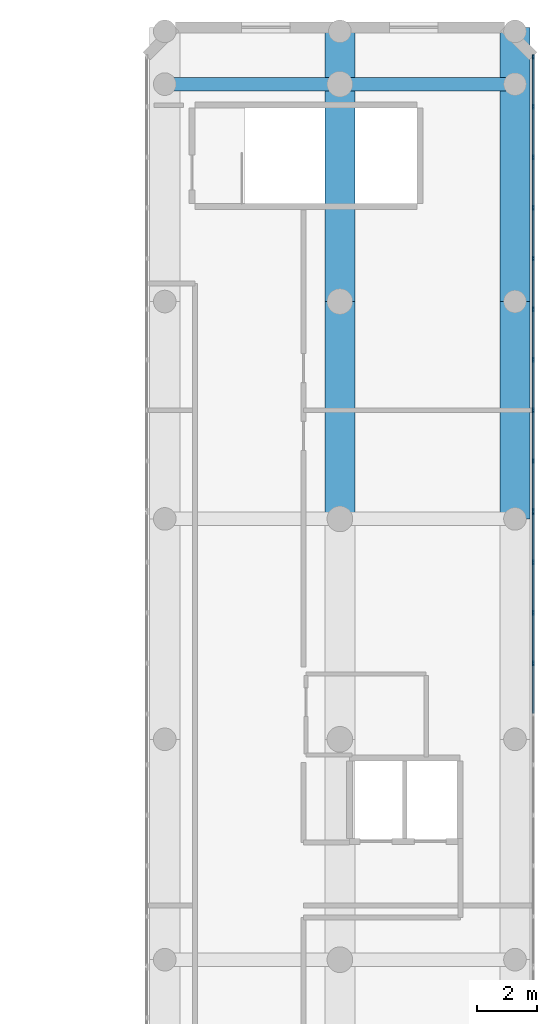
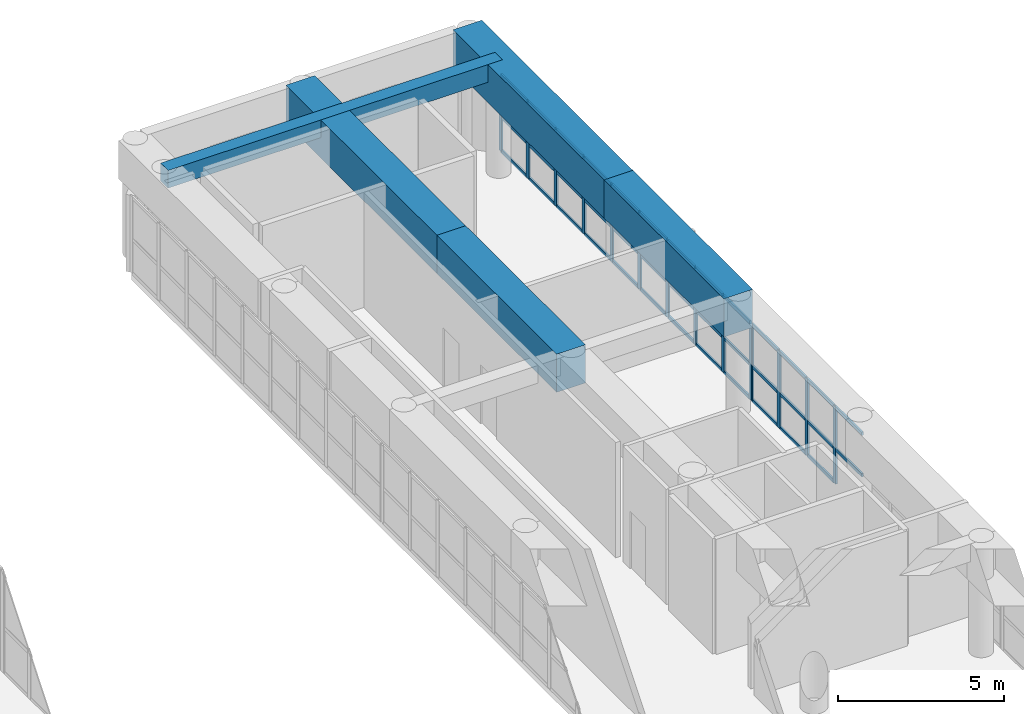
# One storey, part 9 of 22: 52 members, 5 beams, 2 elements without a shape of their own.
"""IFC4 building model written with IfcOpenShell, lengths in metres."""

from ifc_helpers import new_model, si_unit, direction, frame, origin, origin_with_axes, origin_2d, place, context, subcontext, project, spatial, rectangle, extrude, source, transform, mapped, material, layer, layer_set, material_profile, profile_set, type_object, element, aggregate, save


model = new_model("IFC4")

# Units and contexts
model_context = context("Model", 3, precision=1e-05, world=origin(), true_north=direction((0.0, 1.0)))
body_context = subcontext(model_context, "Body", "Model", "MODEL_VIEW")
ifc_project = project(units=[si_unit("LENGTHUNIT", "METRE"), si_unit("AREAUNIT", "SQUARE_METRE"), si_unit("VOLUMEUNIT", "CUBIC_METRE"), si_unit("PLANEANGLEUNIT", "RADIAN"), si_unit("MASSUNIT", "GRAM", prefix="KILO")], contexts=[model_context])

# Site, building, storey
site_placement = place(None, origin())
site = spatial("IfcSite", under=ifc_project, at=site_placement, CompositionType="ELEMENT")
building_placement = place(site_placement, origin())
building = spatial("IfcBuilding", under=site, at=building_placement, Name="Karkom Vertical University and Central Library", CompositionType="ELEMENT")
storey_placement = place(building_placement, frame((0.0, 0.0, 18.0)))
storey = spatial("IfcBuildingStorey", under=building, at=storey_placement, Name="L04", CompositionType="ELEMENT", Elevation=18.0)

# Beams
ifc_material_1 = material(Name="Concrete C50/60", Category="concrete")
ifc_material_profile_1 = material_profile(ifc_material_1, rectangle(XDim=1.0, YDim=1.39990234375, at=origin_2d()), Name="TG-1000x1400")
ifc_profile_set_1 = profile_set([ifc_material_profile_1], Name="Concrete C50/60")
beam_type_1 = type_object("IfcBeamType", Name="STR-BM-TG-2", PredefinedType="USERDEFINED", material=ifc_profile_set_1)
shared_shape_1 = source(origin_with_axes(), body_context, "Body", "SweptSolid", [
    extrude(rectangle(XDim=1.0, YDim=1.39990234375, at=origin_2d()), origin(), (0.0, 0.0, 1.0), 9.080078125),
])
for number, where, z_axis, x_axis, name in (
    (1, (75.39990234375, 41.0, 3.52490234375), (0.0, 1.0, 0.0), (-1.0, 0.0, 0.0), "Level 04 Library Vault Transfer Eave Girder 2.6"),
    (2, (81.199951171875, 41.0, 3.52490234375), (0.0, 1.0, 0.0), (-1.0, 0.0, 0.0), "Level 04 Library Vault Transfer Eave Girder 3.6"),
):
    element("IfcBeam", number, at=place(storey_placement, frame(where, z_axis=z_axis, x_axis=x_axis)), inside=storey, type_object=beam_type_1, Name=name, ObjectType="GIRDER", PredefinedType="USERDEFINED", context=body_context, shape_type="MappedRepresentation", body=[
        mapped(shared_shape_1, transform((0.0, 0.0, 0.0), scale=1.0)),
    ])
shared_shape_2 = source(origin_with_axes(), body_context, "Body", "SweptSolid", [
    extrude(rectangle(XDim=1.0, YDim=1.39990234375, at=origin_2d()), origin(), (0.0, 0.0, 1.0), 7.199951171875),
])
for number, where, z_axis, x_axis, name in (
    (3, (75.39990234375, 33.800048828125, 3.52490234375), (0.0, 1.0, 0.0), (-1.0, 0.0, 0.0), "Level 04 Library Vault Transfer Eave Girder 2.5"),
    (4, (81.199951171875, 33.800048828125, 3.52490234375), (0.0, 1.0, 0.0), (-1.0, 0.0, 0.0), "Level 04 Library Vault Transfer Eave Girder 3.5"),
):
    element("IfcBeam", number, at=place(storey_placement, frame(where, z_axis=z_axis, x_axis=x_axis)), inside=storey, type_object=beam_type_1, Name=name, ObjectType="GIRDER", PredefinedType="USERDEFINED", context=body_context, shape_type="MappedRepresentation", body=[
        mapped(shared_shape_2, transform((0.0, 0.0, 0.0), scale=1.0)),
    ])
ifc_material_2 = material(Name="Concrete C40/50", Category="concrete")
ifc_material_profile_2 = material_profile(ifc_material_2, rectangle(XDim=0.449951171875, YDim=0.64990234375, at=origin_2d()), Name="RCB-450x650")
ifc_profile_set_2 = profile_set([ifc_material_profile_2], Name="Concrete C40/50")
beam_type_2 = type_object("IfcBeamType", Name="STR-BM-BG-4", PredefinedType="USERDEFINED", material=ifc_profile_set_2)
shared_shape_3 = source(origin_with_axes(), body_context, "Body", "SweptSolid", [
    extrude(rectangle(XDim=0.449951171875, YDim=0.64990234375, at=origin_2d()), origin(), (0.0, 0.0, 1.0), 11.599853515625),
])
beam_placement = place(storey_placement, frame((69.60009765625, 48.199951171875, 3.89990234375), z_axis=(1.0, 0.0, 0.0), x_axis=(0.0, 1.0, 0.0)))
element("IfcBeam", 5, at=beam_placement, inside=storey, type_object=beam_type_2, Name="Level 04 Library Transverse Tie Girder 4", ObjectType="GIRDER", PredefinedType="USERDEFINED", context=body_context, shape_type="MappedRepresentation", body=[
    mapped(shared_shape_3, transform((0.0, 0.0, 0.0), scale=1.0)),
])

# Curtain wall, members
ifc_material_3 = material(Name="Aluminium curtain-wall framing and low-E IGU", Category="aluminium")
ifc_layer = layer(ifc_material_3, 0.199951171875)
ifc_layer_set = layer_set([ifc_layer], Name="Aluminium curtain-wall framing and low-E IGU")
curtain_wall_type = type_object("IfcCurtainWallType", Name="ENV-CW-2", PredefinedType="USERDEFINED", material=ifc_layer_set)
curtain_wall_1_placement = place(storey_placement, origin())
curtain_wall_1 = element("IfcCurtainWall", 6, at=curtain_wall_1_placement, inside=storey, type_object=curtain_wall_type, Name="Level 04 CW-2 Curtain Wall Level 04-CW2-3-2", ObjectType="STICK MULLION GLAZING", PredefinedType="USERDEFINED")
ifc_material_4 = material(Name="Anodised Aluminium 6063-T6", Category="aluminium")
ifc_material_profile_3 = material_profile(ifc_material_4, rectangle(XDim=0.06005859375, YDim=0.159912109375, at=origin_2d()), Name="ALU-M60x160")
ifc_profile_set_3 = profile_set([ifc_material_profile_3], Name="Anodised Aluminium 6063-T6")
member_type_1 = type_object("IfcMemberType", Name="ENV-MEM-ALU-M60x160", PredefinedType="MULLION", material=ifc_profile_set_3)
shared_shape_4 = source(origin_with_axes(), body_context, "Body", "SweptSolid", [
    extrude(rectangle(XDim=0.06005859375, YDim=0.159912109375, at=origin_2d()), origin(), (0.0, 0.0, 1.0), 2.824951171875),
])
member_1_placement = place(storey_placement, frame((81.800048828125, 29.014404296875, 0.0), z_axis=(0.0, 0.0, 1.0), x_axis=(-1.0, 0.0, 0.0)))
member_1 = element("IfcMember", 7, at=member_1_placement, type_object=member_type_1, Name="CW-2 mullion 7", PredefinedType="MULLION", context=body_context, shape_type="MappedRepresentation", body=[
    mapped(shared_shape_4, transform((0.0, 0.0, 0.0), scale=1.0)),
])
member_2_placement = place(storey_placement, frame((81.800048828125, 30.690673828125, 0.0), z_axis=(0.0, 0.0, 1.0), x_axis=(-1.0, 0.0, 0.0)))
member_2 = element("IfcMember", 8, at=member_2_placement, type_object=member_type_1, Name="CW-2 mullion 8", PredefinedType="MULLION", context=body_context, shape_type="MappedRepresentation", body=[
    mapped(shared_shape_4, transform((0.0, 0.0, 0.0), scale=1.0)),
])
member_3_placement = place(storey_placement, frame((81.800048828125, 32.366943359375, 0.0), z_axis=(0.0, 0.0, 1.0), x_axis=(-1.0, 0.0, 0.0)))
member_3 = element("IfcMember", 9, at=member_3_placement, type_object=member_type_1, Name="CW-2 mullion 9", PredefinedType="MULLION", context=body_context, shape_type="MappedRepresentation", body=[
    mapped(shared_shape_4, transform((0.0, 0.0, 0.0), scale=1.0)),
])
member_4_placement = place(storey_placement, frame((81.800048828125, 34.01318359375, 0.0), z_axis=(0.0, 0.0, 1.0), x_axis=(-1.0, 0.0, 0.0)))
member_4 = element("IfcMember", 10, at=member_4_placement, type_object=member_type_1, Name="CW-2 mullion 10", PredefinedType="MULLION", context=body_context, shape_type="MappedRepresentation", body=[
    mapped(shared_shape_4, transform((0.0, 0.0, 0.0), scale=1.0)),
])

curtain_wall_2_placement = place(storey_placement, origin())
curtain_wall_2 = element("IfcCurtainWall", 11, at=curtain_wall_2_placement, inside=storey, type_object=curtain_wall_type, Name="Level 04 CW-2 Curtain Wall Level 04-CW2-3-3", ObjectType="STICK MULLION GLAZING", PredefinedType="USERDEFINED")
member_5_placement = place(storey_placement, frame((81.800048828125, 34.0732421875, 0.0), z_axis=(0.0, 0.0, 1.0), x_axis=(-1.0, 0.0, 0.0)))
member_5 = element("IfcMember", 12, at=member_5_placement, type_object=member_type_1, Name="CW-2 mullion 1", PredefinedType="MULLION", context=body_context, shape_type="MappedRepresentation", body=[
    mapped(shared_shape_4, transform((0.0, 0.0, 0.0), scale=1.0)),
])
member_6_placement = place(storey_placement, frame((81.800048828125, 35.719482421875, 0.0), z_axis=(0.0, 0.0, 1.0), x_axis=(-1.0, 0.0, 0.0)))
member_6 = element("IfcMember", 13, at=member_6_placement, type_object=member_type_1, Name="CW-2 mullion 2", PredefinedType="MULLION", context=body_context, shape_type="MappedRepresentation", body=[
    mapped(shared_shape_4, transform((0.0, 0.0, 0.0), scale=1.0)),
])
member_7_placement = place(storey_placement, frame((81.800048828125, 37.39599609375, 0.0), z_axis=(0.0, 0.0, 1.0), x_axis=(-1.0, 0.0, 0.0)))
member_7 = element("IfcMember", 14, at=member_7_placement, type_object=member_type_1, Name="CW-2 mullion 3", PredefinedType="MULLION", context=body_context, shape_type="MappedRepresentation", body=[
    mapped(shared_shape_4, transform((0.0, 0.0, 0.0), scale=1.0)),
])
member_8_placement = place(storey_placement, frame((81.800048828125, 39.072265625, 0.0), z_axis=(0.0, 0.0, 1.0), x_axis=(-1.0, 0.0, 0.0)))
member_8 = element("IfcMember", 15, at=member_8_placement, type_object=member_type_1, Name="CW-2 mullion 4", PredefinedType="MULLION", context=body_context, shape_type="MappedRepresentation", body=[
    mapped(shared_shape_4, transform((0.0, 0.0, 0.0), scale=1.0)),
])
member_9_placement = place(storey_placement, frame((81.800048828125, 40.74853515625, 0.0), z_axis=(0.0, 0.0, 1.0), x_axis=(-1.0, 0.0, 0.0)))
member_9 = element("IfcMember", 16, at=member_9_placement, type_object=member_type_1, Name="CW-2 mullion 5", PredefinedType="MULLION", context=body_context, shape_type="MappedRepresentation", body=[
    mapped(shared_shape_4, transform((0.0, 0.0, 0.0), scale=1.0)),
])
member_10_placement = place(storey_placement, frame((81.800048828125, 42.4248046875, 0.0), z_axis=(0.0, 0.0, 1.0), x_axis=(-1.0, 0.0, 0.0)))
member_10 = element("IfcMember", 17, at=member_10_placement, type_object=member_type_1, Name="CW-2 mullion 6", PredefinedType="MULLION", context=body_context, shape_type="MappedRepresentation", body=[
    mapped(shared_shape_4, transform((0.0, 0.0, 0.0), scale=1.0)),
])
member_11_placement = place(storey_placement, frame((81.800048828125, 44.10107421875, 0.0), z_axis=(0.0, 0.0, 1.0), x_axis=(-1.0, 0.0, 0.0)))
member_11 = element("IfcMember", 18, at=member_11_placement, type_object=member_type_1, Name="CW-2 mullion 7", PredefinedType="MULLION", context=body_context, shape_type="MappedRepresentation", body=[
    mapped(shared_shape_4, transform((0.0, 0.0, 0.0), scale=1.0)),
])
member_12_placement = place(storey_placement, frame((81.800048828125, 45.77734375, 0.0), z_axis=(0.0, 0.0, 1.0), x_axis=(-1.0, 0.0, 0.0)))
member_12 = element("IfcMember", 19, at=member_12_placement, type_object=member_type_1, Name="CW-2 mullion 8", PredefinedType="MULLION", context=body_context, shape_type="MappedRepresentation", body=[
    mapped(shared_shape_4, transform((0.0, 0.0, 0.0), scale=1.0)),
])
member_13_placement = place(storey_placement, frame((81.800048828125, 47.45361328125, 0.0), z_axis=(0.0, 0.0, 1.0), x_axis=(-1.0, 0.0, 0.0)))
member_13 = element("IfcMember", 20, at=member_13_placement, type_object=member_type_1, Name="CW-2 mullion 9", PredefinedType="MULLION", context=body_context, shape_type="MappedRepresentation", body=[
    mapped(shared_shape_4, transform((0.0, 0.0, 0.0), scale=1.0)),
])
member_14_placement = place(storey_placement, frame((81.800048828125, 49.10009765625, 0.0), z_axis=(0.0, 0.0, 1.0), x_axis=(-1.0, 0.0, 0.0)))
member_14 = element("IfcMember", 21, at=member_14_placement, type_object=member_type_1, Name="CW-2 mullion 10", PredefinedType="MULLION", context=body_context, shape_type="MappedRepresentation", body=[
    mapped(shared_shape_4, transform((0.0, 0.0, 0.0), scale=1.0)),
])

# Member
ifc_material_profile_4 = material_profile(ifc_material_4, rectangle(XDim=0.06005859375, YDim=0.1201171875, at=origin_2d()), Name="ALU-T60x120")
ifc_profile_set_4 = profile_set([ifc_material_profile_4], Name="Anodised Aluminium 6063-T6")
member_type_2 = type_object("IfcMemberType", Name="ENV-MEM-ALU-T60x120", PredefinedType="USERDEFINED", material=ifc_profile_set_4)
shared_shape_5 = source(origin_with_axes(), body_context, "Body", "SweptSolid", [
    extrude(rectangle(XDim=0.06005859375, YDim=0.1201171875, at=origin_2d()), origin(), (0.0, 0.0, 1.0), 1.58642578125),
])
member_15_placement = place(storey_placement, frame((81.800048828125, 32.39697265625, 0.030029296875), z_axis=(0.0, 1.0, 0.0), x_axis=(-1.0, 0.0, 0.0)))
member_15 = element("IfcMember", 22, at=member_15_placement, type_object=member_type_2, Name="CW-2 transom 9.1", ObjectType="TRANSOM", PredefinedType="USERDEFINED", context=body_context, shape_type="MappedRepresentation", body=[
    mapped(shared_shape_5, transform((0.0, 0.0, 0.0), scale=1.0)),
])

member_16_placement = place(storey_placement, frame((81.800048828125, 32.39697265625, 1.271240234375), z_axis=(0.0, 1.0, 0.0), x_axis=(-1.0, 0.0, 0.0)))
member_16 = element("IfcMember", 23, at=member_16_placement, type_object=member_type_2, Name="CW-2 transom 9.2", ObjectType="TRANSOM", PredefinedType="USERDEFINED", context=body_context, shape_type="MappedRepresentation", body=[
    mapped(shared_shape_5, transform((0.0, 0.0, 0.0), scale=1.0)),
])

member_17_placement = place(storey_placement, frame((81.800048828125, 32.39697265625, 2.794921875), z_axis=(0.0, 1.0, 0.0), x_axis=(-1.0, 0.0, 0.0)))
member_17 = element("IfcMember", 24, at=member_17_placement, type_object=member_type_2, Name="CW-2 transom 9.3", ObjectType="TRANSOM", PredefinedType="USERDEFINED", context=body_context, shape_type="MappedRepresentation", body=[
    mapped(shared_shape_5, transform((0.0, 0.0, 0.0), scale=1.0)),
])

member_18_placement = place(storey_placement, frame((81.800048828125, 34.103271484375, 0.030029296875), z_axis=(0.0, 1.0, 0.0), x_axis=(-1.0, 0.0, 0.0)))
member_18 = element("IfcMember", 25, at=member_18_placement, type_object=member_type_2, Name="CW-2 transom 1.1", ObjectType="TRANSOM", PredefinedType="USERDEFINED", context=body_context, shape_type="MappedRepresentation", body=[
    mapped(shared_shape_5, transform((0.0, 0.0, 0.0), scale=1.0)),
])

member_19_placement = place(storey_placement, frame((81.800048828125, 34.103271484375, 1.271240234375), z_axis=(0.0, 1.0, 0.0), x_axis=(-1.0, 0.0, 0.0)))
member_19 = element("IfcMember", 26, at=member_19_placement, type_object=member_type_2, Name="CW-2 transom 1.2", ObjectType="TRANSOM", PredefinedType="USERDEFINED", context=body_context, shape_type="MappedRepresentation", body=[
    mapped(shared_shape_5, transform((0.0, 0.0, 0.0), scale=1.0)),
])

member_20_placement = place(storey_placement, frame((81.800048828125, 34.103271484375, 2.794921875), z_axis=(0.0, 1.0, 0.0), x_axis=(-1.0, 0.0, 0.0)))
member_20 = element("IfcMember", 27, at=member_20_placement, type_object=member_type_2, Name="CW-2 transom 1.3", ObjectType="TRANSOM", PredefinedType="USERDEFINED", context=body_context, shape_type="MappedRepresentation", body=[
    mapped(shared_shape_5, transform((0.0, 0.0, 0.0), scale=1.0)),
])

member_21_placement = place(storey_placement, frame((81.800048828125, 47.483642578125, 0.030029296875), z_axis=(0.0, 1.0, 0.0), x_axis=(-1.0, 0.0, 0.0)))
member_21 = element("IfcMember", 28, at=member_21_placement, type_object=member_type_2, Name="CW-2 transom 9.1", ObjectType="TRANSOM", PredefinedType="USERDEFINED", context=body_context, shape_type="MappedRepresentation", body=[
    mapped(shared_shape_5, transform((0.0, 0.0, 0.0), scale=1.0)),
])

member_22_placement = place(storey_placement, frame((81.800048828125, 47.483642578125, 1.271240234375), z_axis=(0.0, 1.0, 0.0), x_axis=(-1.0, 0.0, 0.0)))
member_22 = element("IfcMember", 29, at=member_22_placement, type_object=member_type_2, Name="CW-2 transom 9.2", ObjectType="TRANSOM", PredefinedType="USERDEFINED", context=body_context, shape_type="MappedRepresentation", body=[
    mapped(shared_shape_5, transform((0.0, 0.0, 0.0), scale=1.0)),
])

member_23_placement = place(storey_placement, frame((81.800048828125, 47.483642578125, 2.794921875), z_axis=(0.0, 1.0, 0.0), x_axis=(-1.0, 0.0, 0.0)))
member_23 = element("IfcMember", 30, at=member_23_placement, type_object=member_type_2, Name="CW-2 transom 9.3", ObjectType="TRANSOM", PredefinedType="USERDEFINED", context=body_context, shape_type="MappedRepresentation", body=[
    mapped(shared_shape_5, transform((0.0, 0.0, 0.0), scale=1.0)),
])

shared_shape_6 = source(origin_with_axes(), body_context, "Body", "SweptSolid", [
    extrude(rectangle(XDim=0.06005859375, YDim=0.1201171875, at=origin_2d()), origin(), (0.0, 0.0, 1.0), 1.6162109375),
])
member_24_placement = place(storey_placement, frame((81.800048828125, 27.3681640625, 1.271240234375), z_axis=(0.0, 1.0, 0.0), x_axis=(-1.0, 0.0, 0.0)))
member_24 = element("IfcMember", 31, at=member_24_placement, type_object=member_type_2, Name="CW-2 transom 6.2", ObjectType="TRANSOM", PredefinedType="USERDEFINED", context=body_context, shape_type="MappedRepresentation", body=[
    mapped(shared_shape_6, transform((0.0, 0.0, 0.0), scale=1.0)),
])

member_25_placement = place(storey_placement, frame((81.800048828125, 27.3681640625, 2.794921875), z_axis=(0.0, 1.0, 0.0), x_axis=(-1.0, 0.0, 0.0)))
member_25 = element("IfcMember", 32, at=member_25_placement, type_object=member_type_2, Name="CW-2 transom 6.3", ObjectType="TRANSOM", PredefinedType="USERDEFINED", context=body_context, shape_type="MappedRepresentation", body=[
    mapped(shared_shape_6, transform((0.0, 0.0, 0.0), scale=1.0)),
])

member_26_placement = place(storey_placement, frame((81.800048828125, 29.04443359375, 0.030029296875), z_axis=(0.0, 1.0, 0.0), x_axis=(-1.0, 0.0, 0.0)))
member_26 = element("IfcMember", 33, at=member_26_placement, type_object=member_type_2, Name="CW-2 transom 7.1", ObjectType="TRANSOM", PredefinedType="USERDEFINED", context=body_context, shape_type="MappedRepresentation", body=[
    mapped(shared_shape_6, transform((0.0, 0.0, 0.0), scale=1.0)),
])

member_27_placement = place(storey_placement, frame((81.800048828125, 29.04443359375, 1.271240234375), z_axis=(0.0, 1.0, 0.0), x_axis=(-1.0, 0.0, 0.0)))
member_27 = element("IfcMember", 34, at=member_27_placement, type_object=member_type_2, Name="CW-2 transom 7.2", ObjectType="TRANSOM", PredefinedType="USERDEFINED", context=body_context, shape_type="MappedRepresentation", body=[
    mapped(shared_shape_6, transform((0.0, 0.0, 0.0), scale=1.0)),
])

member_28_placement = place(storey_placement, frame((81.800048828125, 29.04443359375, 2.794921875), z_axis=(0.0, 1.0, 0.0), x_axis=(-1.0, 0.0, 0.0)))
member_28 = element("IfcMember", 35, at=member_28_placement, type_object=member_type_2, Name="CW-2 transom 7.3", ObjectType="TRANSOM", PredefinedType="USERDEFINED", context=body_context, shape_type="MappedRepresentation", body=[
    mapped(shared_shape_6, transform((0.0, 0.0, 0.0), scale=1.0)),
])

member_29_placement = place(storey_placement, frame((81.800048828125, 30.720703125, 0.030029296875), z_axis=(0.0, 1.0, 0.0), x_axis=(-1.0, 0.0, 0.0)))
member_29 = element("IfcMember", 36, at=member_29_placement, type_object=member_type_2, Name="CW-2 transom 8.1", ObjectType="TRANSOM", PredefinedType="USERDEFINED", context=body_context, shape_type="MappedRepresentation", body=[
    mapped(shared_shape_6, transform((0.0, 0.0, 0.0), scale=1.0)),
])

member_30_placement = place(storey_placement, frame((81.800048828125, 30.720703125, 1.271240234375), z_axis=(0.0, 1.0, 0.0), x_axis=(-1.0, 0.0, 0.0)))
member_30 = element("IfcMember", 37, at=member_30_placement, type_object=member_type_2, Name="CW-2 transom 8.2", ObjectType="TRANSOM", PredefinedType="USERDEFINED", context=body_context, shape_type="MappedRepresentation", body=[
    mapped(shared_shape_6, transform((0.0, 0.0, 0.0), scale=1.0)),
])

member_31_placement = place(storey_placement, frame((81.800048828125, 30.720703125, 2.794921875), z_axis=(0.0, 1.0, 0.0), x_axis=(-1.0, 0.0, 0.0)))
member_31 = element("IfcMember", 38, at=member_31_placement, type_object=member_type_2, Name="CW-2 transom 8.3", ObjectType="TRANSOM", PredefinedType="USERDEFINED", context=body_context, shape_type="MappedRepresentation", body=[
    mapped(shared_shape_6, transform((0.0, 0.0, 0.0), scale=1.0)),
])

aggregate(curtain_wall_1, [member_1, member_2, member_3, member_4, member_24, member_25, member_26, member_27, member_28, member_29, member_30, member_31, member_15, member_16, member_17])

member_32_placement = place(storey_placement, frame((81.800048828125, 39.102294921875, 0.030029296875), z_axis=(0.0, 1.0, 0.0), x_axis=(-1.0, 0.0, 0.0)))
member_32 = element("IfcMember", 39, at=member_32_placement, type_object=member_type_2, Name="CW-2 transom 4.1", ObjectType="TRANSOM", PredefinedType="USERDEFINED", context=body_context, shape_type="MappedRepresentation", body=[
    mapped(shared_shape_6, transform((0.0, 0.0, 0.0), scale=1.0)),
])

member_33_placement = place(storey_placement, frame((81.800048828125, 39.102294921875, 1.271240234375), z_axis=(0.0, 1.0, 0.0), x_axis=(-1.0, 0.0, 0.0)))
member_33 = element("IfcMember", 40, at=member_33_placement, type_object=member_type_2, Name="CW-2 transom 4.2", ObjectType="TRANSOM", PredefinedType="USERDEFINED", context=body_context, shape_type="MappedRepresentation", body=[
    mapped(shared_shape_6, transform((0.0, 0.0, 0.0), scale=1.0)),
])

member_34_placement = place(storey_placement, frame((81.800048828125, 39.102294921875, 2.794921875), z_axis=(0.0, 1.0, 0.0), x_axis=(-1.0, 0.0, 0.0)))
member_34 = element("IfcMember", 41, at=member_34_placement, type_object=member_type_2, Name="CW-2 transom 4.3", ObjectType="TRANSOM", PredefinedType="USERDEFINED", context=body_context, shape_type="MappedRepresentation", body=[
    mapped(shared_shape_6, transform((0.0, 0.0, 0.0), scale=1.0)),
])

member_35_placement = place(storey_placement, frame((81.800048828125, 40.778564453125, 0.030029296875), z_axis=(0.0, 1.0, 0.0), x_axis=(-1.0, 0.0, 0.0)))
member_35 = element("IfcMember", 42, at=member_35_placement, type_object=member_type_2, Name="CW-2 transom 5.1", ObjectType="TRANSOM", PredefinedType="USERDEFINED", context=body_context, shape_type="MappedRepresentation", body=[
    mapped(shared_shape_6, transform((0.0, 0.0, 0.0), scale=1.0)),
])

member_36_placement = place(storey_placement, frame((81.800048828125, 40.778564453125, 1.271240234375), z_axis=(0.0, 1.0, 0.0), x_axis=(-1.0, 0.0, 0.0)))
member_36 = element("IfcMember", 43, at=member_36_placement, type_object=member_type_2, Name="CW-2 transom 5.2", ObjectType="TRANSOM", PredefinedType="USERDEFINED", context=body_context, shape_type="MappedRepresentation", body=[
    mapped(shared_shape_6, transform((0.0, 0.0, 0.0), scale=1.0)),
])

member_37_placement = place(storey_placement, frame((81.800048828125, 40.778564453125, 2.794921875), z_axis=(0.0, 1.0, 0.0), x_axis=(-1.0, 0.0, 0.0)))
member_37 = element("IfcMember", 44, at=member_37_placement, type_object=member_type_2, Name="CW-2 transom 5.3", ObjectType="TRANSOM", PredefinedType="USERDEFINED", context=body_context, shape_type="MappedRepresentation", body=[
    mapped(shared_shape_6, transform((0.0, 0.0, 0.0), scale=1.0)),
])

member_38_placement = place(storey_placement, frame((81.800048828125, 42.454833984375, 0.030029296875), z_axis=(0.0, 1.0, 0.0), x_axis=(-1.0, 0.0, 0.0)))
member_38 = element("IfcMember", 45, at=member_38_placement, type_object=member_type_2, Name="CW-2 transom 6.1", ObjectType="TRANSOM", PredefinedType="USERDEFINED", context=body_context, shape_type="MappedRepresentation", body=[
    mapped(shared_shape_6, transform((0.0, 0.0, 0.0), scale=1.0)),
])

member_39_placement = place(storey_placement, frame((81.800048828125, 42.454833984375, 1.271240234375), z_axis=(0.0, 1.0, 0.0), x_axis=(-1.0, 0.0, 0.0)))
member_39 = element("IfcMember", 46, at=member_39_placement, type_object=member_type_2, Name="CW-2 transom 6.2", ObjectType="TRANSOM", PredefinedType="USERDEFINED", context=body_context, shape_type="MappedRepresentation", body=[
    mapped(shared_shape_6, transform((0.0, 0.0, 0.0), scale=1.0)),
])

member_40_placement = place(storey_placement, frame((81.800048828125, 42.454833984375, 2.794921875), z_axis=(0.0, 1.0, 0.0), x_axis=(-1.0, 0.0, 0.0)))
member_40 = element("IfcMember", 47, at=member_40_placement, type_object=member_type_2, Name="CW-2 transom 6.3", ObjectType="TRANSOM", PredefinedType="USERDEFINED", context=body_context, shape_type="MappedRepresentation", body=[
    mapped(shared_shape_6, transform((0.0, 0.0, 0.0), scale=1.0)),
])

member_41_placement = place(storey_placement, frame((81.800048828125, 44.131103515625, 0.030029296875), z_axis=(0.0, 1.0, 0.0), x_axis=(-1.0, 0.0, 0.0)))
member_41 = element("IfcMember", 48, at=member_41_placement, type_object=member_type_2, Name="CW-2 transom 7.1", ObjectType="TRANSOM", PredefinedType="USERDEFINED", context=body_context, shape_type="MappedRepresentation", body=[
    mapped(shared_shape_6, transform((0.0, 0.0, 0.0), scale=1.0)),
])

member_42_placement = place(storey_placement, frame((81.800048828125, 44.131103515625, 1.271240234375), z_axis=(0.0, 1.0, 0.0), x_axis=(-1.0, 0.0, 0.0)))
member_42 = element("IfcMember", 49, at=member_42_placement, type_object=member_type_2, Name="CW-2 transom 7.2", ObjectType="TRANSOM", PredefinedType="USERDEFINED", context=body_context, shape_type="MappedRepresentation", body=[
    mapped(shared_shape_6, transform((0.0, 0.0, 0.0), scale=1.0)),
])

member_43_placement = place(storey_placement, frame((81.800048828125, 44.131103515625, 2.794921875), z_axis=(0.0, 1.0, 0.0), x_axis=(-1.0, 0.0, 0.0)))
member_43 = element("IfcMember", 50, at=member_43_placement, type_object=member_type_2, Name="CW-2 transom 7.3", ObjectType="TRANSOM", PredefinedType="USERDEFINED", context=body_context, shape_type="MappedRepresentation", body=[
    mapped(shared_shape_6, transform((0.0, 0.0, 0.0), scale=1.0)),
])

member_44_placement = place(storey_placement, frame((81.800048828125, 45.807373046875, 0.030029296875), z_axis=(0.0, 1.0, 0.0), x_axis=(-1.0, 0.0, 0.0)))
member_44 = element("IfcMember", 51, at=member_44_placement, type_object=member_type_2, Name="CW-2 transom 8.1", ObjectType="TRANSOM", PredefinedType="USERDEFINED", context=body_context, shape_type="MappedRepresentation", body=[
    mapped(shared_shape_6, transform((0.0, 0.0, 0.0), scale=1.0)),
])

member_45_placement = place(storey_placement, frame((81.800048828125, 45.807373046875, 1.271240234375), z_axis=(0.0, 1.0, 0.0), x_axis=(-1.0, 0.0, 0.0)))
member_45 = element("IfcMember", 52, at=member_45_placement, type_object=member_type_2, Name="CW-2 transom 8.2", ObjectType="TRANSOM", PredefinedType="USERDEFINED", context=body_context, shape_type="MappedRepresentation", body=[
    mapped(shared_shape_6, transform((0.0, 0.0, 0.0), scale=1.0)),
])

member_46_placement = place(storey_placement, frame((81.800048828125, 45.807373046875, 2.794921875), z_axis=(0.0, 1.0, 0.0), x_axis=(-1.0, 0.0, 0.0)))
member_46 = element("IfcMember", 53, at=member_46_placement, type_object=member_type_2, Name="CW-2 transom 8.3", ObjectType="TRANSOM", PredefinedType="USERDEFINED", context=body_context, shape_type="MappedRepresentation", body=[
    mapped(shared_shape_6, transform((0.0, 0.0, 0.0), scale=1.0)),
])

shared_shape_7 = source(origin_with_axes(), body_context, "Body", "SweptSolid", [
    extrude(rectangle(XDim=0.06005859375, YDim=0.1201171875, at=origin_2d()), origin(), (0.0, 0.0, 1.0), 1.616455078125),
])
member_47_placement = place(storey_placement, frame((81.800048828125, 35.74951171875, 0.030029296875), z_axis=(0.0, 1.0, 0.0), x_axis=(-1.0, 0.0, 0.0)))
member_47 = element("IfcMember", 54, at=member_47_placement, type_object=member_type_2, Name="CW-2 transom 2.1", ObjectType="TRANSOM", PredefinedType="USERDEFINED", context=body_context, shape_type="MappedRepresentation", body=[
    mapped(shared_shape_7, transform((0.0, 0.0, 0.0), scale=1.0)),
])

member_48_placement = place(storey_placement, frame((81.800048828125, 35.74951171875, 1.271240234375), z_axis=(0.0, 1.0, 0.0), x_axis=(-1.0, 0.0, 0.0)))
member_48 = element("IfcMember", 55, at=member_48_placement, type_object=member_type_2, Name="CW-2 transom 2.2", ObjectType="TRANSOM", PredefinedType="USERDEFINED", context=body_context, shape_type="MappedRepresentation", body=[
    mapped(shared_shape_7, transform((0.0, 0.0, 0.0), scale=1.0)),
])

member_49_placement = place(storey_placement, frame((81.800048828125, 35.74951171875, 2.794921875), z_axis=(0.0, 1.0, 0.0), x_axis=(-1.0, 0.0, 0.0)))
member_49 = element("IfcMember", 56, at=member_49_placement, type_object=member_type_2, Name="CW-2 transom 2.3", ObjectType="TRANSOM", PredefinedType="USERDEFINED", context=body_context, shape_type="MappedRepresentation", body=[
    mapped(shared_shape_7, transform((0.0, 0.0, 0.0), scale=1.0)),
])

member_50_placement = place(storey_placement, frame((81.800048828125, 37.42578125, 0.030029296875), z_axis=(0.0, 1.0, 0.0), x_axis=(-1.0, 0.0, 0.0)))
member_50 = element("IfcMember", 57, at=member_50_placement, type_object=member_type_2, Name="CW-2 transom 3.1", ObjectType="TRANSOM", PredefinedType="USERDEFINED", context=body_context, shape_type="MappedRepresentation", body=[
    mapped(shared_shape_7, transform((0.0, 0.0, 0.0), scale=1.0)),
])

member_51_placement = place(storey_placement, frame((81.800048828125, 37.42578125, 1.271240234375), z_axis=(0.0, 1.0, 0.0), x_axis=(-1.0, 0.0, 0.0)))
member_51 = element("IfcMember", 58, at=member_51_placement, type_object=member_type_2, Name="CW-2 transom 3.2", ObjectType="TRANSOM", PredefinedType="USERDEFINED", context=body_context, shape_type="MappedRepresentation", body=[
    mapped(shared_shape_7, transform((0.0, 0.0, 0.0), scale=1.0)),
])

member_52_placement = place(storey_placement, frame((81.800048828125, 37.42578125, 2.794921875), z_axis=(0.0, 1.0, 0.0), x_axis=(-1.0, 0.0, 0.0)))
member_52 = element("IfcMember", 59, at=member_52_placement, type_object=member_type_2, Name="CW-2 transom 3.3", ObjectType="TRANSOM", PredefinedType="USERDEFINED", context=body_context, shape_type="MappedRepresentation", body=[
    mapped(shared_shape_7, transform((0.0, 0.0, 0.0), scale=1.0)),
])

aggregate(curtain_wall_2, [member_5, member_6, member_7, member_8, member_9, member_10, member_11, member_12, member_13, member_14, member_18, member_19, member_20, member_47, member_48, member_49, member_50, member_51, member_52, member_32, member_33, member_34, member_35, member_36, member_37, member_38, member_39, member_40, member_41, member_42, member_43, member_44, member_45, member_46, member_21, member_22, member_23])

save(model, "model.ifc")
